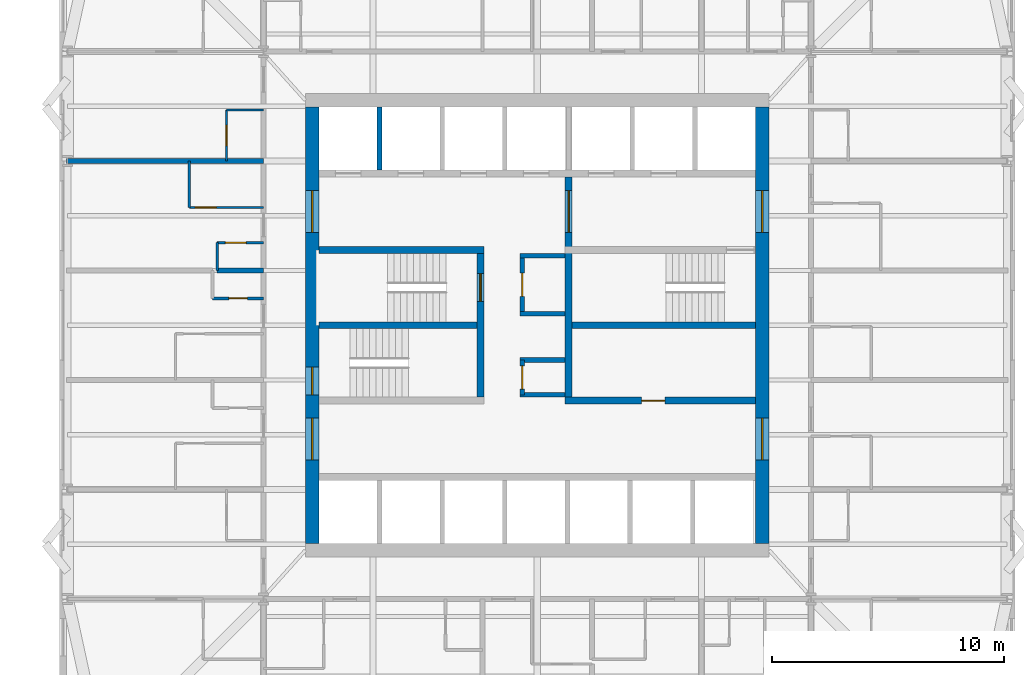
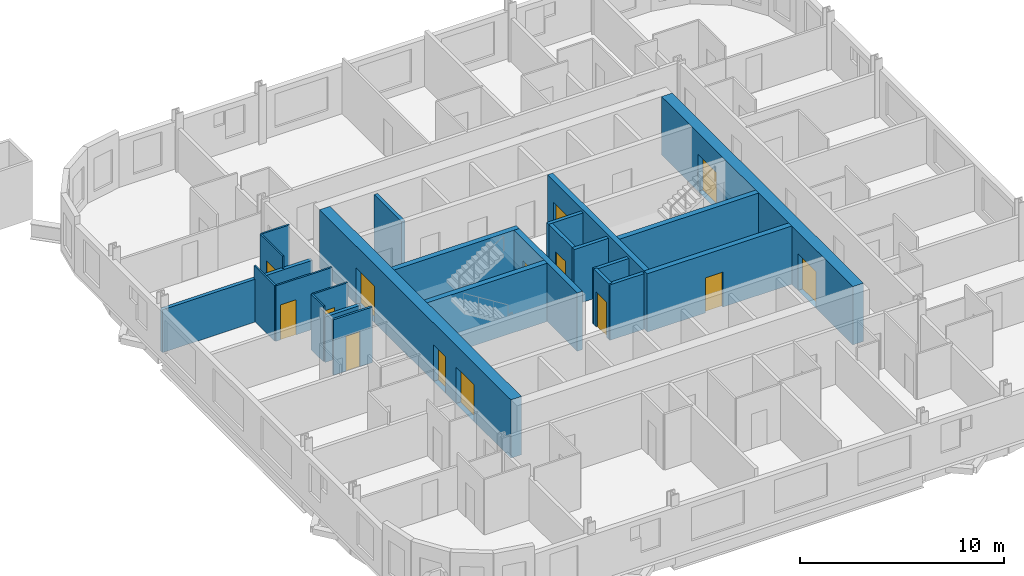
# One storey, part 5 of 10: 24 walls, 14 doors, 14 openings.
"""IFC4 building model written with IfcOpenShell, lengths in metres."""

import ifcopenshell
import ifcopenshell.guid

model = None  # the IFC model being written
_history = None  # IfcOwnerHistory: only IFC2X3 demands one
_inside = {}  # id of a spatial element -> (the spatial element, [elements in it])
_under = {}  # id of a project, library or spatial element -> (it, [spatial elements below it])
_declared = {}  # id of a project -> (the project, [libraries it declares])
_typed = {}  # id of a type object -> (the type object, [elements of that type])
_made_of = {}  # id of a material, layer set ... -> (it, [elements and type objects made of it])


def new_model(schema):
    """Start an empty IFC model of exactly this schema.

    Asked for "IFC4X3", IfcOpenShell would pick the latest addendum, in which some entities
    have other attributes; the version numbers below select the first issue.
    IFC2X3 requires an IfcOwnerHistory on every rooted entity: one is made here for all.
    """
    global model, _history
    if schema == "IFC4X3":
        model = ifcopenshell.file(schema_version=(4, 3, 0, 0))
    else:
        model = ifcopenshell.file(schema=schema)
    _inside.clear()
    _under.clear()
    _declared.clear()
    _typed.clear()
    _made_of.clear()
    _history = None
    if model.schema == "IFC2X3":
        org = make("IfcOrganization", Name="unknown")
        user = make(
            "IfcPersonAndOrganization",
            ThePerson=make("IfcPerson", FamilyName="unknown"),
            TheOrganization=org,
        )
        app = make(
            "IfcApplication",
            ApplicationDeveloper=org,
            Version="unknown",
            ApplicationFullName="unknown",
            ApplicationIdentifier="unknown",
        )
        _history = make(
            "IfcOwnerHistory",
            OwningUser=user,
            OwningApplication=app,
            ChangeAction="ADDED",
            CreationDate=0,
        )
    return model


def make(cls, **values):
    """One entity of the class cls with the attributes given. An attribute that is None is left unset."""
    return model.create_entity(
        cls, **{name: value for name, value in values.items() if value is not None}
    )


def rooted(cls, **values):
    """An entity with a GlobalId (a new one), such as an element, a storey or a relation."""
    return make(cls, GlobalId=ifcopenshell.guid.new(), OwnerHistory=_history, **values)


def si_unit(unit_type, name, prefix=None):
    """IfcSIUnit, for example si_unit("LENGTHUNIT", "METRE", prefix="MILLI")."""
    return make("IfcSIUnit", UnitType=unit_type, Prefix=prefix, Name=name)


def assignment(units):
    """IfcUnitAssignment: the units of a project."""
    return None if units is None else make("IfcUnitAssignment", Units=units)


def point(xyz):
    """IfcCartesianPoint."""
    return None if xyz is None else make("IfcCartesianPoint", Coordinates=xyz)


def direction(xyz):
    """IfcDirection."""
    return None if xyz is None else make("IfcDirection", DirectionRatios=xyz)


def frame(location, z_axis=None, x_axis=None):
    """IfcAxis2Placement3D, a coordinate frame: its origin and axes. An axis left out is left unset."""
    return make(
        "IfcAxis2Placement3D",
        Location=point(location),
        Axis=direction(z_axis),
        RefDirection=direction(x_axis),
    )


def frame_2d(location, x_axis=None):
    """IfcAxis2Placement2D, a coordinate frame in the plane: its origin and x axis."""
    return make(
        "IfcAxis2Placement2D", Location=point(location), RefDirection=direction(x_axis)
    )


def origin():
    """The frame at (0, 0, 0) with its axes left unset."""
    return frame((0.0, 0.0, 0.0))


def place(relative_to, where):
    """IfcLocalPlacement: puts the frame where relative to a parent placement (None: the world)."""
    return make(
        "IfcLocalPlacement", PlacementRelTo=relative_to, RelativePlacement=where
    )


def context(
    kind, dimensions, precision=None, world=None, true_north=None, identifier=None
):
    """IfcGeometricRepresentationContext, for example the 3D "Model" context."""
    return make(
        "IfcGeometricRepresentationContext",
        ContextIdentifier=identifier,
        ContextType=kind,
        CoordinateSpaceDimension=dimensions,
        Precision=precision,
        WorldCoordinateSystem=world,
        TrueNorth=true_north,
    )


def subcontext(parent, identifier, kind, view, scale=None):
    """IfcGeometricRepresentationSubContext, for example "Body" below "Model"."""
    return make(
        "IfcGeometricRepresentationSubContext",
        ContextIdentifier=identifier,
        ContextType=kind,
        ParentContext=parent,
        TargetScale=scale,
        TargetView=view,
    )


def project(units=None, contexts=None):
    """IfcProject with its units and contexts."""
    return rooted(
        "IfcProject",
        Name="project",
        RepresentationContexts=contexts,
        UnitsInContext=assignment(units),
    )


def spatial(cls, under=None, at=None, **own):
    """A site, building, storey or space (cls), placed at a placement, below another one or the project."""
    s = rooted(cls, ObjectPlacement=at, **own)
    if under is not None:
        _under.setdefault(under.id(), (under, []))[1].append(s)
    return s


def profile(cls, at=None, kind="AREA", **sizes):
    """A parametric profile (cls). Its sizes go by their IFC names, for example OverallWidth=200.0."""
    return make(cls, ProfileType=kind, Position=at, **sizes)


def rectangle(**sizes):
    """IfcRectangleProfileDef."""
    return profile("IfcRectangleProfileDef", **sizes)


def extrude(swept, where, along, depth):
    """IfcExtrudedAreaSolid: the profile swept, set in the frame where, extruded along a direction by depth."""
    return make(
        "IfcExtrudedAreaSolid",
        SweptArea=swept,
        Position=where,
        ExtrudedDirection=direction(along),
        Depth=depth,
    )


def shape(context_of_items, identifier, shape_type, items):
    """IfcShapeRepresentation: the items that make up one representation, for example the "Body"."""
    return make(
        "IfcShapeRepresentation",
        ContextOfItems=context_of_items,
        RepresentationIdentifier=identifier,
        RepresentationType=shape_type,
        Items=items,
    )


def material(Name=None, Category=None):
    """IfcMaterial."""
    return make("IfcMaterial", Name=Name, Category=Category)


def layer(
    of_material, thickness, ventilated=None, Name=None, Category=None, Priority=None
):
    """IfcMaterialLayer: one layer of a wall or slab, of a material (None: an air gap)."""
    return make(
        "IfcMaterialLayer",
        Material=of_material,
        LayerThickness=thickness,
        IsVentilated=ventilated,
        Name=Name,
        Category=Category,
        Priority=Priority,
    )


def layer_set(layers, Name=None):
    """IfcMaterialLayerSet."""
    return make("IfcMaterialLayerSet", MaterialLayers=layers, LayerSetName=Name)


def made_of(thing, what):
    """Note that an element or type object is made of a material, layer set ...; save() writes the relation."""
    if what is not None:
        _made_of.setdefault(what.id(), (what, []))[1].append(thing)
    return thing


def type_object(cls, material=None, **own):
    """A type object (cls), such as IfcWallType, which elements share."""
    return made_of(rooted(cls, **own), material)


def element(
    cls,
    number,
    at=None,
    inside=None,
    cuts=None,
    type_object=None,
    material=None,
    context=None,
    identifier="Body",
    shape_type=None,
    held_by="IfcProductDefinitionShape",
    body=None,
    shapes=None,
    **own,
):
    """One element of the class cls, such as IfcWall. Its Tag is "e" and its number.

    at: its placement. inside: the storey or other place that contains it. cuts: it is an
    opening in that element (IfcRelVoidsElement). A single representation is given by context,
    identifier, shape_type and body (its items); several are given by shapes. held_by: the class
    of the entity that holds the representations. save() writes the other relations.
    """
    e = rooted(cls, Tag="e%d" % number, ObjectPlacement=at, **own)
    if body is not None:
        shapes = [shape(context, identifier, shape_type, body)]
    if shapes is not None:
        e.Representation = make(held_by, Representations=shapes)
    if inside is not None:
        _inside.setdefault(inside.id(), (inside, []))[1].append(e)
    if cuts is not None:
        rooted(
            "IfcRelVoidsElement", RelatingBuildingElement=cuts, RelatedOpeningElement=e
        )
    if type_object is not None:
        _typed.setdefault(type_object.id(), (type_object, []))[1].append(e)
    return made_of(e, material)


def fill(opening, filler):
    """IfcRelFillsElement: the door or window that sits in an opening."""
    return rooted(
        "IfcRelFillsElement",
        RelatingOpeningElement=opening,
        RelatedBuildingElement=filler,
    )


def aggregate(whole, parts):
    """IfcRelAggregates: a whole, such as a stair, and the parts it consists of."""
    return rooted("IfcRelAggregates", RelatingObject=whole, RelatedObjects=parts)


def save(model, path):
    """Write the relations noted so far, then the file.

    IfcRelAggregates (storeys below a building ...), IfcRelContainedInSpatialStructure (elements
    in a storey), IfcRelDefinesByType, IfcRelAssociatesMaterial and IfcRelDeclares: one each for
    every whole, place, type object, material and project.
    """
    for whole, parts in _under.values():
        aggregate(whole, parts)
    for where, things in _inside.values():
        rooted(
            "IfcRelContainedInSpatialStructure",
            RelatedElements=things,
            RelatingStructure=where,
        )
    for kind, things in _typed.values():
        rooted("IfcRelDefinesByType", RelatedObjects=things, RelatingType=kind)
    for what, things in _made_of.values():
        rooted("IfcRelAssociatesMaterial", RelatedObjects=things, RelatingMaterial=what)
    for by, libraries in _declared.values():
        rooted("IfcRelDeclares", RelatingContext=by, RelatedDefinitions=libraries)
    model.write(path)


model = new_model("IFC4")

# Units and contexts
model_context = context("Model", 3, precision=1e-05, world=origin(), true_north=direction((0.0, 1.0)))
body_context = subcontext(model_context, "Body", "Model", "MODEL_VIEW")
ifc_project = project(units=[si_unit("LENGTHUNIT", "METRE"), si_unit("AREAUNIT", "SQUARE_METRE"), si_unit("VOLUMEUNIT", "CUBIC_METRE"), si_unit("PLANEANGLEUNIT", "RADIAN"), si_unit("MASSUNIT", "GRAM", prefix="KILO")], contexts=[model_context])

# Site, building, storey
site_placement = place(None, origin())
site = spatial("IfcSite", under=ifc_project, at=site_placement, CompositionType="ELEMENT")
building_placement = place(site_placement, origin())
building = spatial("IfcBuilding", under=site, at=building_placement, Name="Turquesa Mirador Hotel Tower", CompositionType="ELEMENT")
storey_placement = place(building_placement, frame((0.0, 0.0, 138.89990234375)))
storey = spatial("IfcBuildingStorey", under=building, at=storey_placement, Name="L37", CompositionType="ELEMENT", Elevation=138.89990234375)

# Wall, opening, door
ifc_material_1 = material(Name="Gypsum board on steel studs", Category="steel")
ifc_layer_1 = layer(ifc_material_1, 0.10009765625)
ifc_layer_set_1 = layer_set([ifc_layer_1], Name="BATHROOM WALL 100")
wall_type_1 = type_object("IfcWallType", Name="BATHROOM WALL 100", PredefinedType="PARTITIONING", material=ifc_layer_set_1)
wall_1_placement = place(storey_placement, frame((41.199951171875, 48.56005859375, 0.0), z_axis=(0.0, 0.0, 1.0), x_axis=(1.0, 0.0, 0.0)))
wall_1 = element("IfcWall", 1, at=wall_1_placement, inside=storey, type_object=wall_type_1, Name="Partition L37 041", PredefinedType="PARTITIONING", context=body_context, shape_type="SweptSolid", body=[
    extrude(rectangle(XDim=2.0, YDim=0.10009765625, at=frame_2d((1.0, 0.0))), origin(), (0.0, 0.0, 1.0), 3.330078125),
])
opening_1_placement = place(wall_1_placement, frame((0.35009765625, 0.0, 0.0)))
opening_1 = element("IfcOpeningElement", 2, at=opening_1_placement, cuts=wall_1, Name="Opening D06", PredefinedType="OPENING", context=body_context, shape_type="SweptSolid", body=[
    extrude(rectangle(XDim=0.89990234375, YDim=2.10009765625, at=frame_2d((0.449951171875, 1.050048828125))), frame((0.0, 0.06005859375, 0.0), z_axis=(0.0, -1.0, 0.0), x_axis=(1.0, 0.0, 0.0)), (0.0, 0.0, 1.0), 0.1201171875),
])
ifc_material_2 = material(Name="Laminate door", Category="wood")
door_type_1 = type_object("IfcDoorType", Name="DOOR 900X2100 WC", OperationType="SINGLE_SWING_LEFT", PredefinedType="DOOR", material=ifc_material_2)
door_1_placement = place(opening_1_placement, origin())
door_1 = element("IfcDoor", 3, at=door_1_placement, inside=storey, type_object=door_type_1, Name="Door 3713W", OperationType="SINGLE_SWING_LEFT", OverallHeight=2.10009765625, OverallWidth=0.89990234375, PredefinedType="DOOR", context=body_context, shape_type="SweptSolid", body=[
    extrude(rectangle(XDim=0.89990234375, YDim=2.10009765625, at=frame_2d((0.449951171875, 1.050048828125))), frame((0.0, 0.02490234375, 0.0), z_axis=(0.0, -1.0, 0.0), x_axis=(1.0, 0.0, 0.0)), (0.0, 0.0, 1.0), 0.050048828125),
])
fill(opening_1, door_1)

wall_2_placement = place(storey_placement, frame((40.0, 50.080078125, 0.0), z_axis=(0.0, 0.0, 1.0), x_axis=(1.0, 0.0, 0.0)))
wall_2 = element("IfcWall", 4, at=wall_2_placement, inside=storey, type_object=wall_type_1, Name="Partition L37 042", PredefinedType="PARTITIONING", context=body_context, shape_type="SweptSolid", body=[
    extrude(rectangle(XDim=3.199951171875, YDim=0.10009765625, at=frame_2d((1.60009765625, 0.0))), origin(), (0.0, 0.0, 1.0), 3.330078125),
])
opening_2_placement = place(wall_2_placement, frame((0.25, 0.0, 0.0)))
opening_2 = element("IfcOpeningElement", 5, at=opening_2_placement, cuts=wall_2, Name="Opening D02", PredefinedType="OPENING", context=body_context, shape_type="SweptSolid", body=[
    extrude(rectangle(XDim=0.89990234375, YDim=2.10009765625, at=frame_2d((0.449951171875, 1.050048828125))), frame((0.0, 0.06005859375, 0.0), z_axis=(0.0, -1.0, 0.0), x_axis=(1.0, 0.0, 0.0)), (0.0, 0.0, 1.0), 0.1201171875),
])
ifc_material_3 = material(Name="Timber veneered door", Category="wood")
door_type_2 = type_object("IfcDoorType", Name="DOOR 900X2100 EN-SUITE", OperationType="SINGLE_SWING_RIGHT", PredefinedType="DOOR", material=ifc_material_3)
door_2_placement = place(opening_2_placement, origin())
door_2 = element("IfcDoor", 6, at=door_2_placement, inside=storey, type_object=door_type_2, Name="Door 3713B", OperationType="SINGLE_SWING_RIGHT", OverallHeight=2.10009765625, OverallWidth=0.89990234375, PredefinedType="DOOR", context=body_context, shape_type="SweptSolid", body=[
    extrude(rectangle(XDim=0.89990234375, YDim=2.10009765625, at=frame_2d((0.449951171875, 1.050048828125))), frame((0.0, 0.02490234375, 0.0), z_axis=(0.0, -1.0, 0.0), x_axis=(1.0, 0.0, 0.0)), (0.0, 0.0, 1.0), 0.050048828125),
])
fill(opening_2, door_2)

# Wall
wall_3_placement = place(storey_placement, frame((41.60009765625, 54.280029296875, 0.0), z_axis=(0.0, 0.0, 1.0), x_axis=(1.0, 0.0, 0.0)))
element("IfcWall", 7, at=wall_3_placement, inside=storey, type_object=wall_type_1, Name="Partition L37 046", PredefinedType="PARTITIONING", context=body_context, shape_type="SweptSolid", body=[
    extrude(rectangle(XDim=1.599853515625, YDim=0.10009765625, at=frame_2d((0.7998046875, 0.0))), origin(), (0.0, 0.0, 1.0), 3.330078125),
])

# Wall, opening, door
wall_4_placement = place(storey_placement, frame((41.60009765625, 52.080078125, 0.0), z_axis=(0.0, 0.0, 1.0), x_axis=(0.0, 1.0, 0.0)))
wall_4 = element("IfcWall", 8, at=wall_4_placement, inside=storey, type_object=wall_type_1, Name="Partition L37 055", PredefinedType="PARTITIONING", context=body_context, shape_type="SweptSolid", body=[
    extrude(rectangle(XDim=2.199951171875, YDim=0.10009765625, at=frame_2d((1.10009765625, 0.0))), origin(), (0.0, 0.0, 1.0), 3.330078125),
])
opening_3_placement = place(wall_4_placement, frame((0.64990234375, 0.0, 0.0)))
opening_3 = element("IfcOpeningElement", 9, at=opening_3_placement, cuts=wall_4, Name="Opening D06", PredefinedType="OPENING", context=body_context, shape_type="SweptSolid", body=[
    extrude(rectangle(XDim=0.89990234375, YDim=2.10009765625, at=frame_2d((0.449951171875, 1.050048828125))), frame((0.0, 0.06005859375, 0.0), z_axis=(0.0, -1.0, 0.0), x_axis=(1.0, 0.0, 0.0)), (0.0, 0.0, 1.0), 0.1201171875),
])
door_3_placement = place(opening_3_placement, origin())
door_3 = element("IfcDoor", 10, at=door_3_placement, inside=storey, type_object=door_type_1, Name="Door 3715W", OperationType="SINGLE_SWING_LEFT", OverallHeight=2.10009765625, OverallWidth=0.89990234375, PredefinedType="DOOR", context=body_context, shape_type="SweptSolid", body=[
    extrude(rectangle(XDim=0.89990234375, YDim=2.10009765625, at=frame_2d((0.449951171875, 1.050048828125))), frame((0.0, 0.02490234375, 0.0), z_axis=(0.0, -1.0, 0.0), x_axis=(1.0, 0.0, 0.0)), (0.0, 0.0, 1.0), 0.050048828125),
])
fill(opening_3, door_3)

# Walls
wall_5_placement = place(storey_placement, frame((41.199951171875, 47.360107421875, 0.0), z_axis=(0.0, 0.0, 1.0), x_axis=(0.0, 1.0, 0.0)))
element("IfcWall", 11, at=wall_5_placement, inside=storey, type_object=wall_type_1, Name="Partition L37 056", PredefinedType="PARTITIONING", context=body_context, shape_type="SweptSolid", body=[
    extrude(rectangle(XDim=1.199951171875, YDim=0.10009765625, at=frame_2d((0.60009765625, 0.0))), origin(), (0.0, 0.0, 1.0), 3.330078125),
])
wall_6_placement = place(storey_placement, frame((40.0, 50.080078125, 0.0), z_axis=(0.0, 0.0, 1.0), x_axis=(0.0, 1.0, 0.0)))
element("IfcWall", 12, at=wall_6_placement, inside=storey, type_object=wall_type_1, Name="Partition L37 061", PredefinedType="PARTITIONING", context=body_context, shape_type="SweptSolid", body=[
    extrude(rectangle(XDim=2.0, YDim=0.10009765625, at=frame_2d((1.0, 0.0))), origin(), (0.0, 0.0, 1.0), 3.330078125),
])
ifc_material_4 = material(Name="Concrete C50/60", Category="concrete")
ifc_layer_2 = layer(ifc_material_4, 0.300048828125)
ifc_layer_set_2 = layer_set([ifc_layer_2], Name="CORE INNER WALL 300")
wall_type_2 = type_object("IfcWallType", Name="CORE INNER WALL 300", PredefinedType="SHEAR", material=ifc_layer_set_2)
wall_7_placement = place(storey_placement, frame((45.60009765625, 48.25, 0.0), z_axis=(0.0, 0.0, 1.0), x_axis=(1.0, 0.0, 0.0)))
element("IfcWall", 13, at=wall_7_placement, inside=storey, type_object=wall_type_2, Name="Core wall MN-W", PredefinedType="SHEAR", context=body_context, shape_type="SweptSolid", body=[
    extrude(rectangle(XDim=7.099853515625, YDim=0.300048828125, at=frame_2d((3.5498046875, 0.0))), origin(), (0.0, 0.0, 1.0), 3.5),
])

# Wall, opening, door
wall_8_placement = place(storey_placement, frame((56.199951171875, 41.75, 0.0), z_axis=(0.0, 0.0, 1.0), x_axis=(1.0, 0.0, 0.0)))
wall_8 = element("IfcWall", 14, at=wall_8_placement, inside=storey, type_object=wall_type_2, Name="Core wall MS-E", PredefinedType="SHEAR", context=body_context, shape_type="SweptSolid", body=[
    extrude(rectangle(XDim=8.199951171875, YDim=0.300048828125, at=frame_2d((4.10009765625, 0.0))), origin(), (0.0, 0.0, 1.0), 3.5),
])
opening_4_placement = place(wall_8_placement, frame((3.300048828125, 0.0, 0.0)))
opening_4 = element("IfcOpeningElement", 15, at=opening_4_placement, cuts=wall_8, Name="Opening D05", PredefinedType="OPENING", context=body_context, shape_type="SweptSolid", body=[
    extrude(rectangle(XDim=1.0, YDim=2.10009765625, at=frame_2d((0.5, 1.050048828125))), frame((0.0, 0.159912109375, 0.0), z_axis=(0.0, -1.0, 0.0), x_axis=(1.0, 0.0, 0.0)), (0.0, 0.0, 1.0), 0.320068359375),
])
ifc_material_5 = material(Name="Steel fire door", Category="steel")
door_type_3 = type_object("IfcDoorType", Name="DOOR 1000X2100 SERVICE", OperationType="SINGLE_SWING_LEFT", PredefinedType="DOOR", material=ifc_material_5)
door_4_placement = place(opening_4_placement, origin())
door_4 = element("IfcDoor", 16, at=door_4_placement, inside=storey, type_object=door_type_3, Name="Housekeeping room door", OperationType="SINGLE_SWING_LEFT", OverallHeight=2.10009765625, OverallWidth=1.0, PredefinedType="DOOR", context=body_context, shape_type="SweptSolid", body=[
    extrude(rectangle(XDim=1.0, YDim=2.10009765625, at=frame_2d((0.5, 1.050048828125))), frame((0.0, 0.02490234375, 0.0), z_axis=(0.0, -1.0, 0.0), x_axis=(1.0, 0.0, 0.0)), (0.0, 0.0, 1.0), 0.050048828125),
])
fill(opening_4, door_4)

wall_9_placement = place(storey_placement, frame((52.550048828125, 41.89990234375, 0.0), z_axis=(0.0, 0.0, 1.0), x_axis=(0.0, 1.0, 0.0)))
wall_9 = element("IfcWall", 17, at=wall_9_placement, inside=storey, type_object=wall_type_2, Name="Core wall PW", PredefinedType="SHEAR", context=body_context, shape_type="SweptSolid", body=[
    extrude(rectangle(XDim=6.2001953125, YDim=0.300048828125, at=frame_2d((3.10009765625, 0.0))), origin(), (0.0, 0.0, 1.0), 3.5),
])
opening_5_placement = place(wall_9_placement, frame((4.125, 0.0, 0.0)))
opening_5 = element("IfcOpeningElement", 18, at=opening_5_placement, cuts=wall_9, Name="Opening D03", PredefinedType="OPENING", context=body_context, shape_type="SweptSolid", body=[
    extrude(rectangle(XDim=1.199951171875, YDim=2.199951171875, at=frame_2d((0.60009765625, 1.10009765625))), frame((0.0, 0.159912109375, 0.0), z_axis=(0.0, -1.0, 0.0), x_axis=(1.0, 0.0, 0.0)), (0.0, 0.0, 1.0), 0.320068359375),
])
ifc_material_6 = material(Name="Steel fire door", Category="steel")
door_type_4 = type_object("IfcDoorType", Name="DOOR 1200X2200 STAIR", OperationType="SINGLE_SWING_LEFT", PredefinedType="DOOR", material=ifc_material_6)
door_5_placement = place(opening_5_placement, origin())
door_5 = element("IfcDoor", 19, at=door_5_placement, inside=storey, type_object=door_type_4, Name="Stair ST1 door", OperationType="SINGLE_SWING_LEFT", OverallHeight=2.199951171875, OverallWidth=1.199951171875, PredefinedType="DOOR", context=body_context, shape_type="SweptSolid", body=[
    extrude(rectangle(XDim=1.199951171875, YDim=2.199951171875, at=frame_2d((0.60009765625, 1.10009765625))), frame((0.0, 0.02490234375, 0.0), z_axis=(0.0, -1.0, 0.0), x_axis=(1.0, 0.0, 0.0)), (0.0, 0.0, 1.0), 0.050048828125),
])
fill(opening_5, door_5)

wall_10_placement = place(storey_placement, frame((56.35009765625, 41.89990234375, 0.0), z_axis=(0.0, 0.0, 1.0), x_axis=(0.0, 1.0, 0.0)))
wall_10 = element("IfcWall", 20, at=wall_10_placement, inside=storey, type_object=wall_type_2, Name="Core wall PE", PredefinedType="SHEAR", context=body_context, shape_type="SweptSolid", body=[
    extrude(rectangle(XDim=9.5, YDim=0.300048828125, at=frame_2d((4.75, 0.0))), origin(), (0.0, 0.0, 1.0), 3.5),
])
opening_6_placement = place(wall_10_placement, frame((7.10009765625, 0.0, 0.0)))
opening_6 = element("IfcOpeningElement", 21, at=opening_6_placement, cuts=wall_10, Name="Opening D04", PredefinedType="OPENING", context=body_context, shape_type="SweptSolid", body=[
    extrude(rectangle(XDim=1.800048828125, YDim=2.199951171875, at=frame_2d((0.89990234375, 1.10009765625))), frame((0.0, 0.159912109375, 0.0), z_axis=(0.0, -1.0, 0.0), x_axis=(1.0, 0.0, 0.0)), (0.0, 0.0, 1.0), 0.320068359375),
])
ifc_material_7 = material(Name="Steel fire door pair", Category="steel")
door_type_5 = type_object("IfcDoorType", Name="DOOR 1800X2200 PAIR", OperationType="DOUBLE_DOOR_SINGLE_SWING", PredefinedType="DOOR", material=ifc_material_7)
door_6_placement = place(opening_6_placement, origin())
door_6 = element("IfcDoor", 22, at=door_6_placement, inside=storey, type_object=door_type_5, Name="Firefighting lobby inner door", OperationType="DOUBLE_DOOR_SINGLE_SWING", OverallHeight=2.199951171875, OverallWidth=1.800048828125, PredefinedType="DOOR", context=body_context, shape_type="SweptSolid", body=[
    extrude(rectangle(XDim=1.800048828125, YDim=2.199951171875, at=frame_2d((0.89990234375, 1.10009765625))), frame((0.0, 0.02490234375, 0.0), z_axis=(0.0, -1.0, 0.0), x_axis=(1.0, 0.0, 0.0)), (0.0, 0.0, 1.0), 0.050048828125),
])
fill(opening_6, door_6)

# Walls
wall_11_placement = place(storey_placement, frame((45.60009765625, 45.0, 0.0), z_axis=(0.0, 0.0, 1.0), x_axis=(1.0, 0.0, 0.0)))
element("IfcWall", 23, at=wall_11_placement, inside=storey, type_object=wall_type_2, Name="Core wall M0-W", PredefinedType="SHEAR", context=body_context, shape_type="SweptSolid", body=[
    extrude(rectangle(XDim=6.7998046875, YDim=0.300048828125, at=frame_2d((3.39990234375, 0.0))), origin(), (0.0, 0.0, 1.0), 3.5),
])
wall_12_placement = place(storey_placement, frame((56.5, 45.0, 0.0), z_axis=(0.0, 0.0, 1.0), x_axis=(1.0, 0.0, 0.0)))
element("IfcWall", 24, at=wall_12_placement, inside=storey, type_object=wall_type_2, Name="Core wall M0-E", PredefinedType="SHEAR", context=body_context, shape_type="SweptSolid", body=[
    extrude(rectangle(XDim=7.89990234375, YDim=0.300048828125, at=frame_2d((3.949951171875, 0.0))), origin(), (0.0, 0.0, 1.0), 3.5),
])

# Wall, openings, doors
ifc_material_8 = material(Name="Concrete C50/60", Category="concrete")
ifc_layer_3 = layer(ifc_material_8, 0.60009765625)
ifc_layer_set_3 = layer_set([ifc_layer_3], Name="CORE WALL 600")
wall_type_3 = type_object("IfcWallType", Name="CORE WALL 600", PredefinedType="SHEAR", material=ifc_layer_set_3)
wall_13_placement = place(storey_placement, frame((64.699951171875, 35.60009765625, 0.0), z_axis=(0.0, 0.0, 1.0), x_axis=(0.0, 1.0, 0.0)))
wall_13 = element("IfcWall", 25, at=wall_13_placement, inside=storey, type_object=wall_type_3, Name="Core wall E", PredefinedType="SHEAR", context=body_context, shape_type="SweptSolid", body=[
    extrude(rectangle(XDim=18.7998046875, YDim=0.60009765625, at=frame_2d((9.39990234375, 0.0))), origin(), (0.0, 0.0, 1.0), 3.5),
])
opening_7_placement = place(wall_13_placement, frame((13.39990234375, 0.0, 0.0)))
opening_7 = element("IfcOpeningElement", 26, at=opening_7_placement, cuts=wall_13, Name="Opening D04", PredefinedType="OPENING", context=body_context, shape_type="SweptSolid", body=[
    extrude(rectangle(XDim=1.800048828125, YDim=2.199951171875, at=frame_2d((0.89990234375, 1.10009765625))), frame((0.0, 0.31005859375, 0.0), z_axis=(0.0, -1.0, 0.0), x_axis=(1.0, 0.0, 0.0)), (0.0, 0.0, 1.0), 0.6201171875),
])
opening_8_placement = place(wall_13_placement, frame((3.60009765625, 0.0, 0.0)))
opening_8 = element("IfcOpeningElement", 27, at=opening_8_placement, cuts=wall_13, Name="Opening D04", PredefinedType="OPENING", context=body_context, shape_type="SweptSolid", body=[
    extrude(rectangle(XDim=1.800048828125, YDim=2.199951171875, at=frame_2d((0.89990234375, 1.10009765625))), frame((0.0, 0.31005859375, 0.0), z_axis=(0.0, -1.0, 0.0), x_axis=(1.0, 0.0, 0.0)), (0.0, 0.0, 1.0), 0.6201171875),
])
door_7_placement = place(opening_7_placement, origin())
door_7 = element("IfcDoor", 28, at=door_7_placement, inside=storey, type_object=door_type_5, Name="Firefighting lobby door", OperationType="DOUBLE_DOOR_SINGLE_SWING", OverallHeight=2.199951171875, OverallWidth=1.800048828125, PredefinedType="DOOR", context=body_context, shape_type="SweptSolid", body=[
    extrude(rectangle(XDim=1.800048828125, YDim=2.199951171875, at=frame_2d((0.89990234375, 1.10009765625))), frame((0.0, 0.02490234375, 0.0), z_axis=(0.0, -1.0, 0.0), x_axis=(1.0, 0.0, 0.0)), (0.0, 0.0, 1.0), 0.050048828125),
])
fill(opening_7, door_7)
door_8_placement = place(opening_8_placement, origin())
door_8 = element("IfcDoor", 29, at=door_8_placement, inside=storey, type_object=door_type_5, Name="South lift lobby door", OperationType="DOUBLE_DOOR_SINGLE_SWING", OverallHeight=2.199951171875, OverallWidth=1.800048828125, PredefinedType="DOOR", context=body_context, shape_type="SweptSolid", body=[
    extrude(rectangle(XDim=1.800048828125, YDim=2.199951171875, at=frame_2d((0.89990234375, 1.10009765625))), frame((0.0, 0.02490234375, 0.0), z_axis=(0.0, -1.0, 0.0), x_axis=(1.0, 0.0, 0.0)), (0.0, 0.0, 1.0), 0.050048828125),
])
fill(opening_8, door_8)

wall_14_placement = place(storey_placement, frame((45.300048828125, 35.60009765625, 0.0), z_axis=(0.0, 0.0, 1.0), x_axis=(0.0, 1.0, 0.0)))
wall_14 = element("IfcWall", 30, at=wall_14_placement, inside=storey, type_object=wall_type_3, Name="Core wall W", PredefinedType="SHEAR", context=body_context, shape_type="SweptSolid", body=[
    extrude(rectangle(XDim=18.7998046875, YDim=0.60009765625, at=frame_2d((9.39990234375, 0.0))), origin(), (0.0, 0.0, 1.0), 3.5),
])
opening_9_placement = place(wall_14_placement, frame((13.39990234375, 0.0, 0.0)))
opening_9 = element("IfcOpeningElement", 31, at=opening_9_placement, cuts=wall_14, Name="Opening D04", PredefinedType="OPENING", context=body_context, shape_type="SweptSolid", body=[
    extrude(rectangle(XDim=1.800048828125, YDim=2.199951171875, at=frame_2d((0.89990234375, 1.10009765625))), frame((0.0, 0.31005859375, 0.0), z_axis=(0.0, -1.0, 0.0), x_axis=(1.0, 0.0, 0.0)), (0.0, 0.0, 1.0), 0.6201171875),
])
opening_10_placement = place(wall_14_placement, frame((3.60009765625, 0.0, 0.0)))
opening_10 = element("IfcOpeningElement", 32, at=opening_10_placement, cuts=wall_14, Name="Opening D04", PredefinedType="OPENING", context=body_context, shape_type="SweptSolid", body=[
    extrude(rectangle(XDim=1.800048828125, YDim=2.199951171875, at=frame_2d((0.89990234375, 1.10009765625))), frame((0.0, 0.31005859375, 0.0), z_axis=(0.0, -1.0, 0.0), x_axis=(1.0, 0.0, 0.0)), (0.0, 0.0, 1.0), 0.6201171875),
])
opening_11_placement = place(wall_14_placement, frame((6.39990234375, 0.0, 0.0)))
opening_11 = element("IfcOpeningElement", 33, at=opening_11_placement, cuts=wall_14, Name="Opening D03", PredefinedType="OPENING", context=body_context, shape_type="SweptSolid", body=[
    extrude(rectangle(XDim=1.199951171875, YDim=2.199951171875, at=frame_2d((0.60009765625, 1.10009765625))), frame((0.0, 0.31005859375, 0.0), z_axis=(0.0, -1.0, 0.0), x_axis=(1.0, 0.0, 0.0)), (0.0, 0.0, 1.0), 0.6201171875),
])
door_9_placement = place(opening_11_placement, origin())
door_9 = element("IfcDoor", 34, at=door_9_placement, inside=storey, type_object=door_type_4, Name="Stair ST2 door", OperationType="SINGLE_SWING_LEFT", OverallHeight=2.199951171875, OverallWidth=1.199951171875, PredefinedType="DOOR", context=body_context, shape_type="SweptSolid", body=[
    extrude(rectangle(XDim=1.199951171875, YDim=2.199951171875, at=frame_2d((0.60009765625, 1.10009765625))), frame((0.0, 0.02490234375, 0.0), z_axis=(0.0, -1.0, 0.0), x_axis=(1.0, 0.0, 0.0)), (0.0, 0.0, 1.0), 0.050048828125),
])
fill(opening_11, door_9)
door_10_placement = place(opening_9_placement, origin())
door_10 = element("IfcDoor", 35, at=door_10_placement, inside=storey, type_object=door_type_5, Name="North lift lobby door", OperationType="DOUBLE_DOOR_SINGLE_SWING", OverallHeight=2.199951171875, OverallWidth=1.800048828125, PredefinedType="DOOR", context=body_context, shape_type="SweptSolid", body=[
    extrude(rectangle(XDim=1.800048828125, YDim=2.199951171875, at=frame_2d((0.89990234375, 1.10009765625))), frame((0.0, 0.02490234375, 0.0), z_axis=(0.0, -1.0, 0.0), x_axis=(1.0, 0.0, 0.0)), (0.0, 0.0, 1.0), 0.050048828125),
])
fill(opening_9, door_10)
door_11_placement = place(opening_10_placement, origin())
door_11 = element("IfcDoor", 36, at=door_11_placement, inside=storey, type_object=door_type_5, Name="South lift lobby door", OperationType="DOUBLE_DOOR_SINGLE_SWING", OverallHeight=2.199951171875, OverallWidth=1.800048828125, PredefinedType="DOOR", context=body_context, shape_type="SweptSolid", body=[
    extrude(rectangle(XDim=1.800048828125, YDim=2.199951171875, at=frame_2d((0.89990234375, 1.10009765625))), frame((0.0, 0.02490234375, 0.0), z_axis=(0.0, -1.0, 0.0), x_axis=(1.0, 0.0, 0.0)), (0.0, 0.0, 1.0), 0.050048828125),
])
fill(opening_10, door_11)

# Wall, opening, door
ifc_material_9 = material(Name="Fire-rated gypsum board on steel studs", Category="steel")
ifc_layer_4 = layer(ifc_material_9, 0.199951171875)
ifc_layer_set_4 = layer_set([ifc_layer_4], Name="FIRE PARTITION 200")
wall_type_4 = type_object("IfcWallType", Name="FIRE PARTITION 200", PredefinedType="PARTITIONING", material=ifc_layer_set_4)
wall_15_placement = place(storey_placement, frame((54.35009765625, 42.0, 0.0), z_axis=(0.0, 0.0, 1.0), x_axis=(0.0, 1.0, 0.0)))
wall_15 = element("IfcWall", 37, at=wall_15_placement, inside=storey, type_object=wall_type_4, Name="Partition L37 SW W", PredefinedType="PARTITIONING", context=body_context, shape_type="SweptSolid", body=[
    extrude(rectangle(XDim=1.5, YDim=0.199951171875, at=frame_2d((0.75, 0.0))), origin(), (0.0, 0.0, 1.0), 3.330078125),
])
opening_12_placement = place(wall_15_placement, frame((0.25, 0.0, 0.0)))
opening_12 = element("IfcOpeningElement", 38, at=opening_12_placement, cuts=wall_15, Name="Opening D05", PredefinedType="OPENING", context=body_context, shape_type="SweptSolid", body=[
    extrude(rectangle(XDim=1.0, YDim=2.10009765625, at=frame_2d((0.5, 1.050048828125))), frame((0.0, 0.10986328125, 0.0), z_axis=(0.0, -1.0, 0.0), x_axis=(1.0, 0.0, 0.0)), (0.0, 0.0, 1.0), 0.219970703125),
])
door_12_placement = place(opening_12_placement, origin())
door_12 = element("IfcDoor", 39, at=door_12_placement, inside=storey, type_object=door_type_3, Name="Staff WC door", OperationType="SINGLE_SWING_LEFT", OverallHeight=2.10009765625, OverallWidth=1.0, PredefinedType="DOOR", context=body_context, shape_type="SweptSolid", body=[
    extrude(rectangle(XDim=1.0, YDim=2.10009765625, at=frame_2d((0.5, 1.050048828125))), frame((0.0, 0.02490234375, 0.0), z_axis=(0.0, -1.0, 0.0), x_axis=(1.0, 0.0, 0.0)), (0.0, 0.0, 1.0), 0.050048828125),
])
fill(opening_12, door_12)

# Walls
for number, where, z_axis, x_axis, name in (
    (40, (54.25, 42.0, 0.0), (0.0, 0.0, 1.0), (1.0, 0.0, 0.0), "Partition L37 SW S"),
    (41, (54.25, 43.5, 0.0), (0.0, 0.0, 1.0), (1.0, 0.0, 0.0), "Partition L37 SW N"),
):
    element("IfcWall", number, at=place(storey_placement, frame(where, z_axis=z_axis, x_axis=x_axis)), inside=storey, type_object=wall_type_4, Name=name, PredefinedType="PARTITIONING", context=body_context, shape_type="SweptSolid", body=[
        extrude(rectangle(XDim=1.949951171875, YDim=0.199951171875, at=frame_2d((0.97509765625, 0.0))), origin(), (0.0, 0.0, 1.0), 3.330078125),
    ])

# Wall, opening, door
wall_16_placement = place(storey_placement, frame((54.35009765625, 45.5, 0.0), z_axis=(0.0, 0.0, 1.0), x_axis=(0.0, 1.0, 0.0)))
wall_16 = element("IfcWall", 42, at=wall_16_placement, inside=storey, type_object=wall_type_4, Name="Partition L37 RS W", PredefinedType="PARTITIONING", context=body_context, shape_type="SweptSolid", body=[
    extrude(rectangle(XDim=2.5, YDim=0.199951171875, at=frame_2d((1.25, 0.0))), origin(), (0.0, 0.0, 1.0), 3.330078125),
])
opening_13_placement = place(wall_16_placement, frame((0.75, 0.0, 0.0)))
opening_13 = element("IfcOpeningElement", 43, at=opening_13_placement, cuts=wall_16, Name="Opening D05", PredefinedType="OPENING", context=body_context, shape_type="SweptSolid", body=[
    extrude(rectangle(XDim=1.0, YDim=2.10009765625, at=frame_2d((0.5, 1.050048828125))), frame((0.0, 0.10986328125, 0.0), z_axis=(0.0, -1.0, 0.0), x_axis=(1.0, 0.0, 0.0)), (0.0, 0.0, 1.0), 0.219970703125),
])
door_13_placement = place(opening_13_placement, origin())
door_13 = element("IfcDoor", 44, at=door_13_placement, inside=storey, type_object=door_type_3, Name="Room service pantry door", OperationType="SINGLE_SWING_LEFT", OverallHeight=2.10009765625, OverallWidth=1.0, PredefinedType="DOOR", context=body_context, shape_type="SweptSolid", body=[
    extrude(rectangle(XDim=1.0, YDim=2.10009765625, at=frame_2d((0.5, 1.050048828125))), frame((0.0, 0.02490234375, 0.0), z_axis=(0.0, -1.0, 0.0), x_axis=(1.0, 0.0, 0.0)), (0.0, 0.0, 1.0), 0.050048828125),
])
fill(opening_13, door_13)

# Walls
for number, where, z_axis, x_axis, name in (
    (45, (54.25, 45.5, 0.0), (0.0, 0.0, 1.0), (1.0, 0.0, 0.0), "Partition L37 RS S"),
    (46, (54.25, 48.0, 0.0), (0.0, 0.0, 1.0), (1.0, 0.0, 0.0), "Partition L37 RS N"),
):
    element("IfcWall", number, at=place(storey_placement, frame(where, z_axis=z_axis, x_axis=x_axis)), inside=storey, type_object=wall_type_4, Name=name, PredefinedType="PARTITIONING", context=body_context, shape_type="SweptSolid", body=[
        extrude(rectangle(XDim=1.949951171875, YDim=0.199951171875, at=frame_2d((0.97509765625, 0.0))), origin(), (0.0, 0.0, 1.0), 3.330078125),
    ])
ifc_material_10 = material(Name="Fire-rated gypsum shaft wall on steel studs", Category="steel")
ifc_layer_5 = layer(ifc_material_10, 0.199951171875)
ifc_layer_set_5 = layer_set([ifc_layer_5], Name="LIFT SHAFT DIVIDER 200")
wall_type_5 = type_object("IfcWallType", Name="LIFT SHAFT DIVIDER 200", PredefinedType="PARTITIONING", material=ifc_layer_set_5)
wall_17_placement = place(storey_placement, frame((48.199951171875, 51.699951171875, 0.0), z_axis=(0.0, 0.0, 1.0), x_axis=(0.0, 1.0, 0.0)))
element("IfcWall", 47, at=wall_17_placement, inside=storey, type_object=wall_type_5, Name="Lift shaft divider", PredefinedType="PARTITIONING", context=body_context, shape_type="SweptSolid", body=[
    extrude(rectangle(XDim=2.699951171875, YDim=0.199951171875, at=frame_2d((1.35009765625, 0.0))), origin(), (0.0, 0.0, 1.0), 3.330078125),
])
ifc_material_11 = material(Name="Fire-rated gypsum board on steel studs", Category="steel")
ifc_layer_6 = layer(ifc_material_11, 0.199951171875)
ifc_layer_set_6 = layer_set([ifc_layer_6], Name="PARTY WALL 200")
wall_type_6 = type_object("IfcWallType", Name="PARTY WALL 200", PredefinedType="PARTITIONING", material=ifc_layer_set_6)
wall_18_placement = place(storey_placement, frame((41.199951171875, 47.360107421875, 0.0), z_axis=(0.0, 0.0, 1.0), x_axis=(1.0, 0.0, 0.0)))
element("IfcWall", 48, at=wall_18_placement, inside=storey, type_object=wall_type_6, Name="Partition L37 039", PredefinedType="PARTITIONING", context=body_context, shape_type="SweptSolid", body=[
    extrude(rectangle(XDim=2.0, YDim=0.199951171875, at=frame_2d((1.0, 0.0))), origin(), (0.0, 0.0, 1.0), 2.730712890625),
])
wall_19_placement = place(storey_placement, frame((34.699951171875, 52.080078125, 0.0), z_axis=(0.0, 0.0, 1.0), x_axis=(1.0, 0.0, 0.0)))
element("IfcWall", 49, at=wall_19_placement, inside=storey, type_object=wall_type_6, Name="Partition L37 044", PredefinedType="PARTITIONING", context=body_context, shape_type="SweptSolid", body=[
    extrude(rectangle(XDim=8.5, YDim=0.199951171875, at=frame_2d((4.25, 0.0))), origin(), (0.0, 0.0, 1.0), 2.5732421875),
])

# Wall, opening, door
ifc_material_12 = material(Name="Acoustic gypsum board on steel studs", Category="steel")
ifc_layer_7 = layer(ifc_material_12, 0.125)
ifc_layer_set_7 = layer_set([ifc_layer_7], Name="SUITE PARTITION 125")
wall_type_7 = type_object("IfcWallType", Name="SUITE PARTITION 125", PredefinedType="PARTITIONING", material=ifc_layer_set_7)
wall_20_placement = place(storey_placement, frame((41.0, 46.159912109375, 0.0), z_axis=(0.0, 0.0, 1.0), x_axis=(1.0, 0.0, 0.0)))
wall_20 = element("IfcWall", 50, at=wall_20_placement, inside=storey, type_object=wall_type_7, Name="Partition L37 025", PredefinedType="PARTITIONING", context=body_context, shape_type="SweptSolid", body=[
    extrude(rectangle(XDim=2.199951171875, YDim=0.125, at=frame_2d((1.10009765625, 0.0))), origin(), (0.0, 0.0, 1.0), 3.330078125),
])
opening_14_placement = place(wall_20_placement, frame((0.699951171875, 0.0, 0.0)))
opening_14 = element("IfcOpeningElement", 51, at=opening_14_placement, cuts=wall_20, Name="Opening D20", PredefinedType="OPENING", context=body_context, shape_type="SweptSolid", body=[
    extrude(rectangle(XDim=0.800048828125, YDim=2.10009765625, at=frame_2d((0.39990234375, 1.050048828125))), frame((0.0, 0.072509765625, 0.0), z_axis=(0.0, -1.0, 0.0), x_axis=(1.0, 0.0, 0.0)), (0.0, 0.0, 1.0), 0.14501953125),
])
ifc_material_13 = material(Name="Timber veneered sliding door", Category="wood")
door_type_6 = type_object("IfcDoorType", Name="DOOR 800X2100 WARDROBE", OperationType="SLIDING_TO_LEFT", PredefinedType="DOOR", material=ifc_material_13)
door_14_placement = place(opening_14_placement, origin())
door_14 = element("IfcDoor", 52, at=door_14_placement, inside=storey, type_object=door_type_6, Name="Door 3712W", OperationType="SLIDING_TO_LEFT", OverallHeight=2.10009765625, OverallWidth=0.800048828125, PredefinedType="DOOR", context=body_context, shape_type="SweptSolid", body=[
    extrude(rectangle(XDim=0.800048828125, YDim=2.10009765625, at=frame_2d((0.39990234375, 1.050048828125))), frame((0.0, 0.02490234375, 0.0), z_axis=(0.0, -1.0, 0.0), x_axis=(1.0, 0.0, 0.0)), (0.0, 0.0, 1.0), 0.050048828125),
])
fill(opening_14, door_14)

save(model, "model.ifc")
